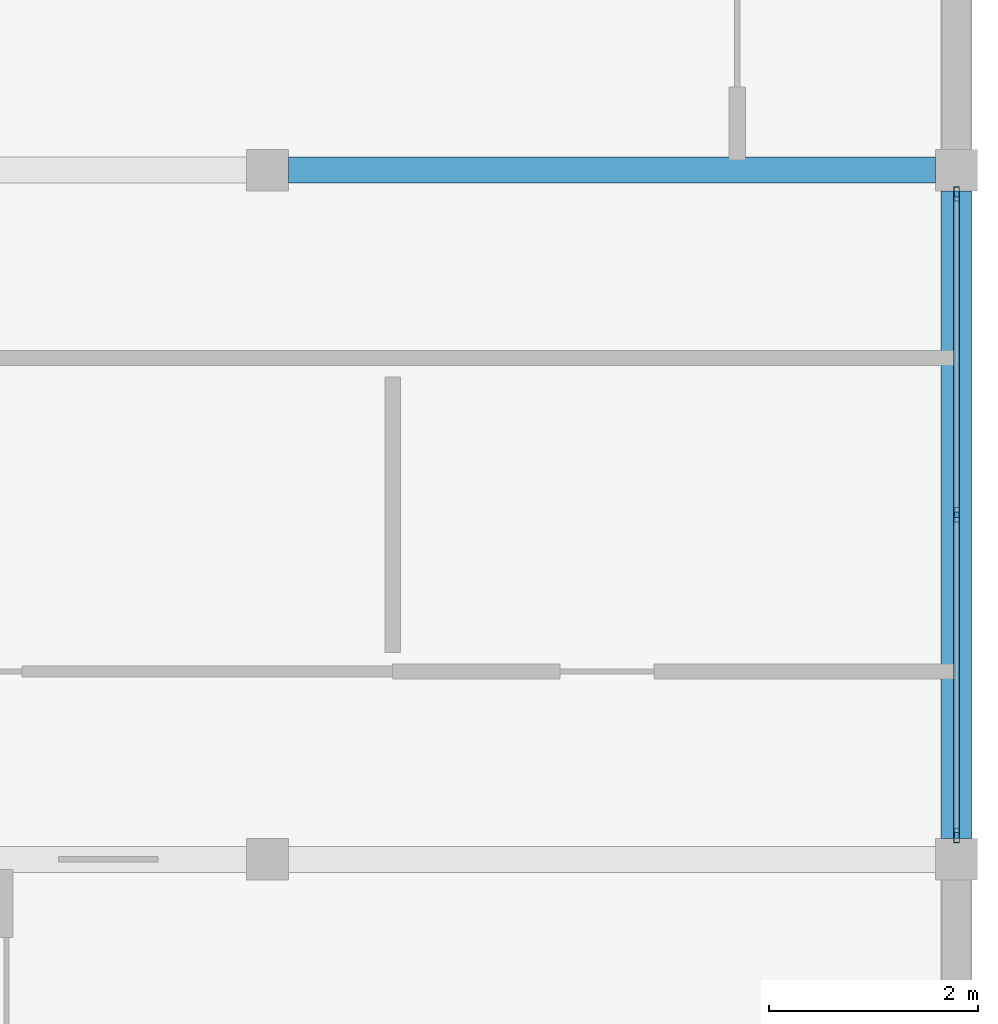
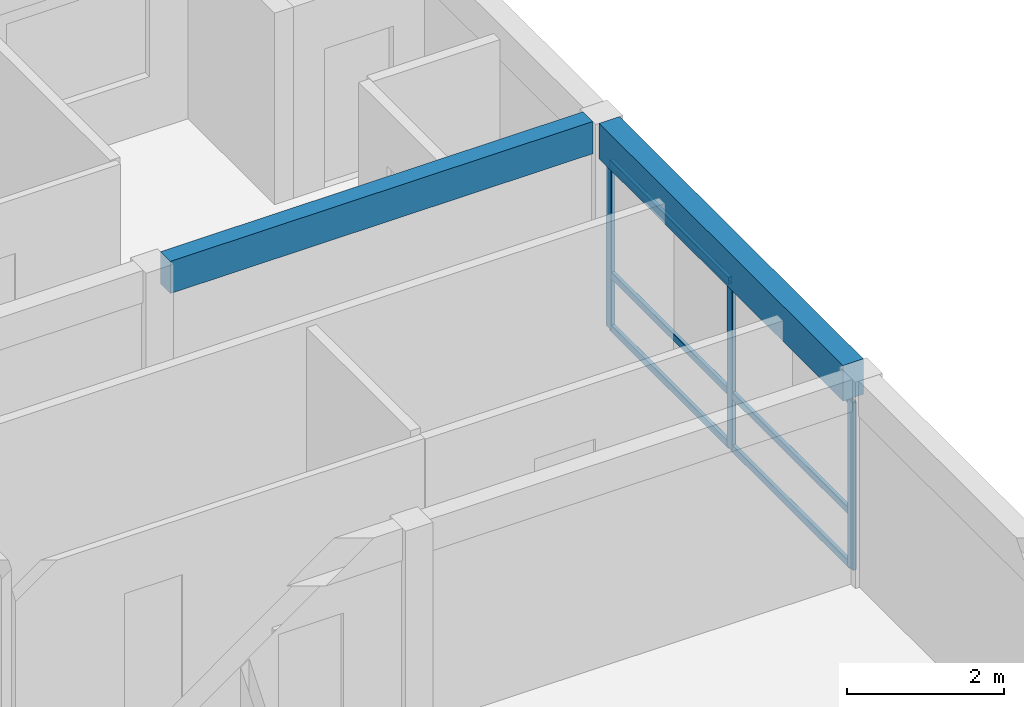
# One storey, part 14 of 34: 9 members, 2 beams, 1 element without a shape of its own.
"""IFC4 building model written with IfcOpenShell, lengths in metres."""

from ifc_helpers import new_model, si_unit, direction, frame, origin, origin_2d, place, context, subcontext, project, spatial, rectangle, hollow_rectangle, extrude, material, material_profile, profile_set, type_object, element, aggregate, save


model = new_model("IFC4")

# Units and contexts
model_context = context("Model", 3, precision=1e-05, world=origin(), true_north=direction((0.0, 1.0)))
body_context = subcontext(model_context, "Body", "Model", "MODEL_VIEW")
ifc_project = project(units=[si_unit("LENGTHUNIT", "METRE"), si_unit("AREAUNIT", "SQUARE_METRE"), si_unit("VOLUMEUNIT", "CUBIC_METRE"), si_unit("PLANEANGLEUNIT", "RADIAN"), si_unit("MASSUNIT", "GRAM", prefix="KILO")], contexts=[model_context])

# Site, building, storey
site_placement = place(None, origin())
site = spatial("IfcSite", under=ifc_project, at=site_placement, CompositionType="ELEMENT")
building_placement = place(site_placement, origin())
building = spatial("IfcBuilding", under=site, at=building_placement, Name="Kernevlak Ridge Housing Community", CompositionType="ELEMENT")
storey_placement = place(building_placement, frame((0.0, 0.0, 34.0)))
storey = spatial("IfcBuildingStorey", under=building, at=storey_placement, Name="L10", CompositionType="ELEMENT", Elevation=34.0)

# Beam
ifc_material_1 = material(Name="Concrete C35/45", Category="concrete")
ifc_material_profile_1 = material_profile(ifc_material_1, rectangle(XDim=0.25, YDim=0.5, at=origin_2d()), Name="RC 250x500")
ifc_profile_set_1 = profile_set([ifc_material_profile_1], Name="Concrete C35/45")
beam_type_1 = type_object("IfcBeamType", Name="B-06", PredefinedType="T_BEAM", material=ifc_profile_set_1)
beam_1_placement = place(storey_placement, frame((146.0, 95.800048828125, 2.949951171875), z_axis=(1.0, 0.0, 0.0), x_axis=(0.0, 1.0, 0.0)))
element("IfcBeam", 1, at=beam_1_placement, inside=storey, type_object=beam_type_1, Name="Beam B-06 L10 851", PredefinedType="T_BEAM", context=body_context, shape_type="SweptSolid", body=[
    extrude(rectangle(XDim=0.25, YDim=0.5, at=origin_2d()), origin(), (0.0, 0.0, 1.0), 6.199951171875),
])

# Curtain wall, members
ifc_material_2 = material(Name="Aluminium EN AW-6060 anodised and laminated glass", Category="aluminium")
curtain_wall_type = type_object("IfcCurtainWallType", Name="CW-14", PredefinedType="NOTDEFINED", material=ifc_material_2)
curtain_wall_placement = place(storey_placement, origin())
curtain_wall = element("IfcCurtainWall", 2, at=curtain_wall_placement, inside=storey, type_object=curtain_wall_type, Name="Curtain wall CW-14 CW-L10-087", PredefinedType="NOTDEFINED")
ifc_material_3 = material(Name="Aluminium EN AW-6060 anodised", Category="aluminium")
ifc_material_profile_2 = material_profile(ifc_material_3, hollow_rectangle(XDim=0.054931640625, YDim=0.139892578125, WallThickness=0.00390625, InnerFilletRadius=0.001953125, OuterFilletRadius=0.00390625, at=origin_2d()), Name="ALU 55x140x4")
ifc_profile_set_2 = profile_set([ifc_material_profile_2], Name="Aluminium EN AW-6060 anodised")
member_type_1 = type_object("IfcMemberType", Name="MU-01", PredefinedType="MULLION", material=ifc_profile_set_2)
member_1_placement = place(storey_placement, frame((152.39990234375, 89.427490234375, 0.0), z_axis=(0.0, 0.0, 1.0), x_axis=(-1.0, 0.0, 0.0)))
member_1 = element("IfcMember", 3, at=member_1_placement, type_object=member_type_1, Name="CW-14 mullion 1", PredefinedType="MULLION", context=body_context, shape_type="SweptSolid", body=[
    extrude(hollow_rectangle(XDim=0.054931640625, YDim=0.139892578125, WallThickness=0.00390625, InnerFilletRadius=0.001953125, OuterFilletRadius=0.00390625, at=origin_2d()), origin(), (0.0, 0.0, 1.0), 2.60009765625),
])
member_2_placement = place(storey_placement, frame((152.39990234375, 92.5, 0.0), z_axis=(0.0, 0.0, 1.0), x_axis=(-1.0, 0.0, 0.0)))
member_2 = element("IfcMember", 4, at=member_2_placement, type_object=member_type_1, Name="CW-14 mullion 2", PredefinedType="MULLION", context=body_context, shape_type="SweptSolid", body=[
    extrude(hollow_rectangle(XDim=0.054931640625, YDim=0.139892578125, WallThickness=0.00390625, InnerFilletRadius=0.001953125, OuterFilletRadius=0.00390625, at=origin_2d()), origin(), (0.0, 0.0, 1.0), 2.60009765625),
])
member_3_placement = place(storey_placement, frame((152.39990234375, 95.572509765625, 0.0), z_axis=(0.0, 0.0, 1.0), x_axis=(-1.0, 0.0, 0.0)))
member_3 = element("IfcMember", 5, at=member_3_placement, type_object=member_type_1, Name="CW-14 mullion 3", PredefinedType="MULLION", context=body_context, shape_type="SweptSolid", body=[
    extrude(hollow_rectangle(XDim=0.054931640625, YDim=0.139892578125, WallThickness=0.00390625, InnerFilletRadius=0.001953125, OuterFilletRadius=0.00390625, at=origin_2d()), origin(), (0.0, 0.0, 1.0), 2.60009765625),
])

# Beam
ifc_material_profile_3 = material_profile(ifc_material_1, rectangle(XDim=0.300048828125, YDim=0.550048828125, at=origin_2d()), Name="RC 300x550")
ifc_profile_set_3 = profile_set([ifc_material_profile_3], Name="Concrete C35/45")
beam_type_2 = type_object("IfcBeamType", Name="SP-01", PredefinedType="SPANDREL", material=ifc_profile_set_3)
beam_2_placement = place(storey_placement, frame((152.39990234375, 89.39990234375, 2.925048828125), z_axis=(0.0, 1.0, 0.0), x_axis=(-1.0, 0.0, 0.0)))
element("IfcBeam", 6, at=beam_2_placement, inside=storey, type_object=beam_type_2, Name="Beam SP-01 L10 861", PredefinedType="SPANDREL", context=body_context, shape_type="SweptSolid", body=[
    extrude(rectangle(XDim=0.300048828125, YDim=0.550048828125, at=origin_2d()), origin(), (0.0, 0.0, 1.0), 6.2001953125),
])

# Member
ifc_material_profile_4 = material_profile(ifc_material_3, hollow_rectangle(XDim=0.054931640625, YDim=0.110107421875, WallThickness=0.00390625, InnerFilletRadius=0.001953125, OuterFilletRadius=0.00390625, at=origin_2d()), Name="ALU 55x110x4")
ifc_profile_set_4 = profile_set([ifc_material_profile_4], Name="Aluminium EN AW-6060 anodised")
member_type_2 = type_object("IfcMemberType", Name="TM-01", PredefinedType="USERDEFINED", material=ifc_profile_set_4)
member_4_placement = place(storey_placement, frame((152.39990234375, 89.455078125, 0.027587890625), z_axis=(0.0, 1.0, 0.0), x_axis=(-1.0, 0.0, 0.0)))
member_4 = element("IfcMember", 7, at=member_4_placement, type_object=member_type_2, Name="CW-14 transom 1.1", ObjectType="TRANSOM", PredefinedType="USERDEFINED", context=body_context, shape_type="SweptSolid", body=[
    extrude(hollow_rectangle(XDim=0.054931640625, YDim=0.110107421875, WallThickness=0.00390625, InnerFilletRadius=0.001953125, OuterFilletRadius=0.00390625, at=origin_2d()), origin(), (0.0, 0.0, 1.0), 3.017333984375),
])

member_5_placement = place(storey_placement, frame((152.39990234375, 89.455078125, 0.85009765625), z_axis=(0.0, 1.0, 0.0), x_axis=(-1.0, 0.0, 0.0)))
member_5 = element("IfcMember", 8, at=member_5_placement, type_object=member_type_2, Name="CW-14 transom 1.2", ObjectType="TRANSOM", PredefinedType="USERDEFINED", context=body_context, shape_type="SweptSolid", body=[
    extrude(hollow_rectangle(XDim=0.054931640625, YDim=0.110107421875, WallThickness=0.00390625, InnerFilletRadius=0.001953125, OuterFilletRadius=0.00390625, at=origin_2d()), origin(), (0.0, 0.0, 1.0), 3.017333984375),
])

member_6_placement = place(storey_placement, frame((152.39990234375, 89.455078125, 2.572509765625), z_axis=(0.0, 1.0, 0.0), x_axis=(-1.0, 0.0, 0.0)))
member_6 = element("IfcMember", 9, at=member_6_placement, type_object=member_type_2, Name="CW-14 transom 1.3", ObjectType="TRANSOM", PredefinedType="USERDEFINED", context=body_context, shape_type="SweptSolid", body=[
    extrude(hollow_rectangle(XDim=0.054931640625, YDim=0.110107421875, WallThickness=0.00390625, InnerFilletRadius=0.001953125, OuterFilletRadius=0.00390625, at=origin_2d()), origin(), (0.0, 0.0, 1.0), 3.017333984375),
])

member_7_placement = place(storey_placement, frame((152.39990234375, 92.527587890625, 0.027587890625), z_axis=(0.0, 1.0, 0.0), x_axis=(-1.0, 0.0, 0.0)))
member_7 = element("IfcMember", 10, at=member_7_placement, type_object=member_type_2, Name="CW-14 transom 2.1", ObjectType="TRANSOM", PredefinedType="USERDEFINED", context=body_context, shape_type="SweptSolid", body=[
    extrude(hollow_rectangle(XDim=0.054931640625, YDim=0.110107421875, WallThickness=0.00390625, InnerFilletRadius=0.001953125, OuterFilletRadius=0.00390625, at=origin_2d()), origin(), (0.0, 0.0, 1.0), 3.017333984375),
])

member_8_placement = place(storey_placement, frame((152.39990234375, 92.527587890625, 0.85009765625), z_axis=(0.0, 1.0, 0.0), x_axis=(-1.0, 0.0, 0.0)))
member_8 = element("IfcMember", 11, at=member_8_placement, type_object=member_type_2, Name="CW-14 transom 2.2", ObjectType="TRANSOM", PredefinedType="USERDEFINED", context=body_context, shape_type="SweptSolid", body=[
    extrude(hollow_rectangle(XDim=0.054931640625, YDim=0.110107421875, WallThickness=0.00390625, InnerFilletRadius=0.001953125, OuterFilletRadius=0.00390625, at=origin_2d()), origin(), (0.0, 0.0, 1.0), 3.017333984375),
])

member_9_placement = place(storey_placement, frame((152.39990234375, 92.527587890625, 2.572509765625), z_axis=(0.0, 1.0, 0.0), x_axis=(-1.0, 0.0, 0.0)))
member_9 = element("IfcMember", 12, at=member_9_placement, type_object=member_type_2, Name="CW-14 transom 2.3", ObjectType="TRANSOM", PredefinedType="USERDEFINED", context=body_context, shape_type="SweptSolid", body=[
    extrude(hollow_rectangle(XDim=0.054931640625, YDim=0.110107421875, WallThickness=0.00390625, InnerFilletRadius=0.001953125, OuterFilletRadius=0.00390625, at=origin_2d()), origin(), (0.0, 0.0, 1.0), 3.017333984375),
])

aggregate(curtain_wall, [member_1, member_2, member_3, member_4, member_5, member_6, member_7, member_8, member_9])

save(model, "model.ifc")
